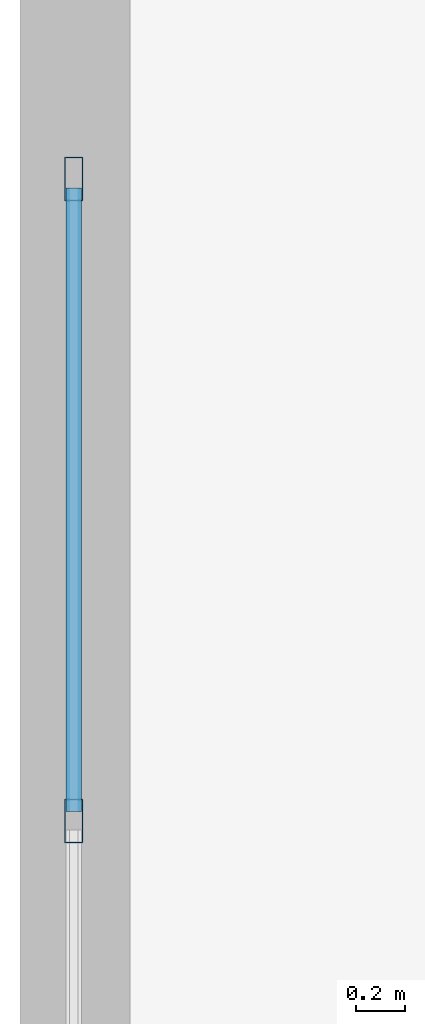
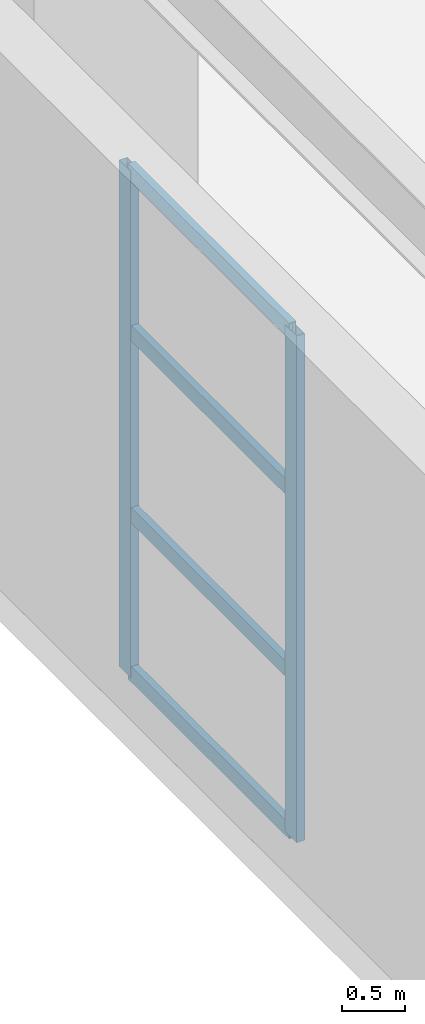
# One storey, part 12 of 35: 6 members, 1 element without a shape of its own.
"""IFC4 building model written with IfcOpenShell, lengths in metres."""

from ifc_helpers import new_model, si_unit, direction, frame, origin, origin_2d, place, context, subcontext, project, spatial, hollow_rectangle, extrude, material, layer, layer_set, material_profile, profile_set, type_object, element, aggregate, save


model = new_model("IFC4")

# Units and contexts
model_context = context("Model", 3, precision=1e-05, world=origin(), true_north=direction((0.0, 1.0)))
body_context = subcontext(model_context, "Body", "Model", "MODEL_VIEW")
ifc_project = project(units=[si_unit("LENGTHUNIT", "METRE"), si_unit("AREAUNIT", "SQUARE_METRE"), si_unit("VOLUMEUNIT", "CUBIC_METRE"), si_unit("PLANEANGLEUNIT", "RADIAN"), si_unit("MASSUNIT", "GRAM", prefix="KILO")], contexts=[model_context])

# Site, building, storey
site_placement = place(None, origin())
site = spatial("IfcSite", under=ifc_project, at=site_placement, CompositionType="ELEMENT")
building_placement = place(site_placement, origin())
building = spatial("IfcBuilding", under=site, at=building_placement, Name="Qiaolan Cultural Towers", CompositionType="ELEMENT")
storey_placement = place(building_placement, frame((0.0, 0.0, 6.0)))
storey = spatial("IfcBuildingStorey", under=building, at=storey_placement, Name="L01", CompositionType="ELEMENT", Elevation=6.0)

# Curtain wall, members
ifc_material_1 = material(Name="Unitized Anodized Aluminium Curtain Wall System", Category="aluminium")
ifc_layer = layer(ifc_material_1, 0.199951171875)
ifc_layer_set = layer_set([ifc_layer], Name="Unitized Anodized Aluminium Curtain Wall System")
curtain_wall_type = type_object("IfcCurtainWallType", Name="CWS-04", PredefinedType="NOTDEFINED", material=ifc_layer_set)
curtain_wall_placement = place(storey_placement, origin())
curtain_wall = element("IfcCurtainWall", 1, at=curtain_wall_placement, inside=storey, type_object=curtain_wall_type, Name="L01 West Exhibition Foyer Curtain Wall", PredefinedType="NOTDEFINED")
ifc_material_2 = material(Name="Extruded Aluminium 6063-T6", Category="aluminium")
ifc_material_profile_1 = material_profile(ifc_material_2, hollow_rectangle(XDim=0.074951171875, YDim=0.179931640625, WallThickness=0.00390625, at=origin_2d()), Name="CWM-180x75x4")
ifc_profile_set_1 = profile_set([ifc_material_profile_1], Name="Extruded Aluminium 6063-T6")
member_type_1 = type_object("IfcMemberType", Name="CWS-04-MUL", PredefinedType="MULLION", material=ifc_profile_set_1)
member_1_placement = place(storey_placement, frame((0.219970703125, 35.333251953125, 0.14990234375), z_axis=(0.0, 0.0, 1.0), x_axis=(-1.0, 0.0, 0.0)))
member_1 = element("IfcMember", 2, at=member_1_placement, type_object=member_type_1, Name="CW-4 mullion 3", PredefinedType="MULLION", context=body_context, shape_type="SweptSolid", body=[
    extrude(hollow_rectangle(XDim=0.074951171875, YDim=0.179931640625, WallThickness=0.00390625, at=origin_2d()), origin(), (0.0, 0.0, 1.0), 4.900146484375),
])
member_2_placement = place(storey_placement, frame((0.219970703125, 37.96240234375, 0.14990234375), z_axis=(0.0, 0.0, 1.0), x_axis=(-1.0, 0.0, 0.0)))
member_2 = element("IfcMember", 3, at=member_2_placement, type_object=member_type_1, Name="CW-4 mullion 4", PredefinedType="MULLION", context=body_context, shape_type="SweptSolid", body=[
    extrude(hollow_rectangle(XDim=0.074951171875, YDim=0.179931640625, WallThickness=0.00390625, at=origin_2d()), origin(), (0.0, 0.0, 1.0), 4.900146484375),
])
ifc_material_3 = material(Name="Extruded Aluminium 6063-T6", Category="aluminium")
ifc_material_profile_2 = material_profile(ifc_material_3, hollow_rectangle(XDim=0.06494140625, YDim=0.14990234375, WallThickness=0.00390625, at=origin_2d()), Name="CWT-150x65x4")
ifc_profile_set_2 = profile_set([ifc_material_profile_2], Name="Extruded Aluminium 6063-T6")
member_type_2 = type_object("IfcMemberType", Name="CWS-04-TRN", PredefinedType="USERDEFINED", material=ifc_profile_set_2)
member_3_placement = place(storey_placement, frame((0.219970703125, 35.370849609375, 0.1826171875), z_axis=(0.0, 1.0, 0.0), x_axis=(-1.0, 0.0, 0.0)))
member_3 = element("IfcMember", 4, at=member_3_placement, type_object=member_type_2, Name="CW-4 transom 3.1", ObjectType="TRANSOM", PredefinedType="USERDEFINED", context=body_context, shape_type="SweptSolid", body=[
    extrude(hollow_rectangle(XDim=0.06494140625, YDim=0.14990234375, WallThickness=0.00390625, at=origin_2d()), origin(), (0.0, 0.0, 1.0), 2.55419921875),
])
member_4_placement = place(storey_placement, frame((0.219970703125, 35.370849609375, 1.719970703125), z_axis=(0.0, 1.0, 0.0), x_axis=(-1.0, 0.0, 0.0)))
member_4 = element("IfcMember", 5, at=member_4_placement, type_object=member_type_2, Name="CW-4 transom 3.2", ObjectType="TRANSOM", PredefinedType="USERDEFINED", context=body_context, shape_type="SweptSolid", body=[
    extrude(hollow_rectangle(XDim=0.06494140625, YDim=0.14990234375, WallThickness=0.00390625, at=origin_2d()), origin(), (0.0, 0.0, 1.0), 2.55419921875),
])
member_5_placement = place(storey_placement, frame((0.219970703125, 35.370849609375, 3.47998046875), z_axis=(0.0, 1.0, 0.0), x_axis=(-1.0, 0.0, 0.0)))
member_5 = element("IfcMember", 6, at=member_5_placement, type_object=member_type_2, Name="CW-4 transom 3.3", ObjectType="TRANSOM", PredefinedType="USERDEFINED", context=body_context, shape_type="SweptSolid", body=[
    extrude(hollow_rectangle(XDim=0.06494140625, YDim=0.14990234375, WallThickness=0.00390625, at=origin_2d()), origin(), (0.0, 0.0, 1.0), 2.55419921875),
])
member_6_placement = place(storey_placement, frame((0.219970703125, 35.370849609375, 5.017578125), z_axis=(0.0, 1.0, 0.0), x_axis=(-1.0, 0.0, 0.0)))
member_6 = element("IfcMember", 7, at=member_6_placement, type_object=member_type_2, Name="CW-4 transom 3.4", ObjectType="TRANSOM", PredefinedType="USERDEFINED", context=body_context, shape_type="SweptSolid", body=[
    extrude(hollow_rectangle(XDim=0.06494140625, YDim=0.14990234375, WallThickness=0.00390625, at=origin_2d()), origin(), (0.0, 0.0, 1.0), 2.55419921875),
])
aggregate(curtain_wall, [member_1, member_2, member_3, member_4, member_5, member_6])

save(model, "model.ifc")
